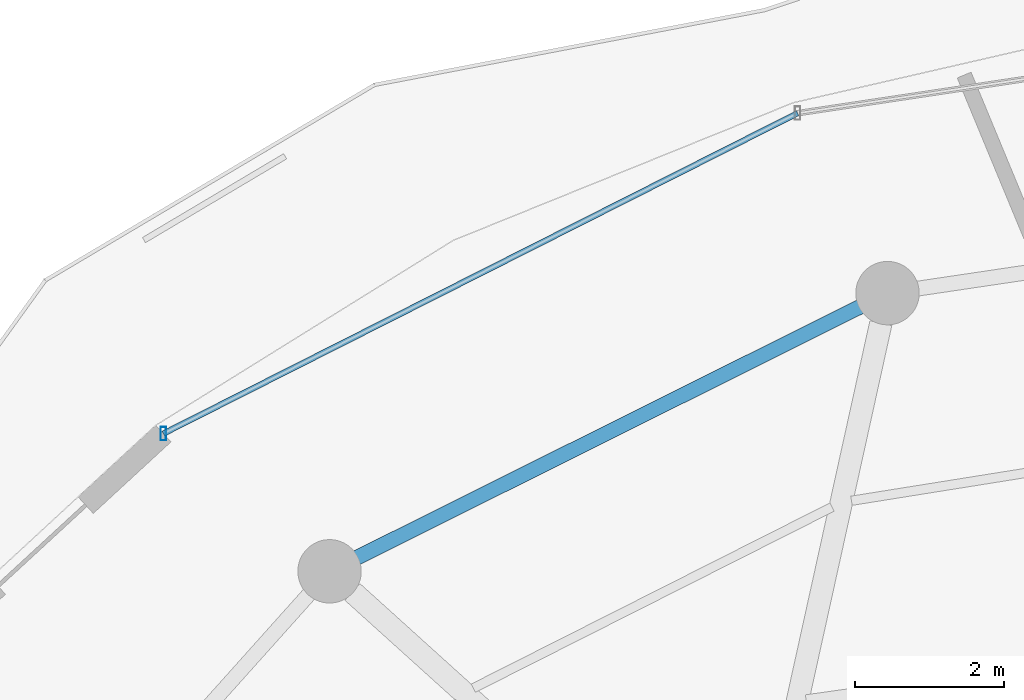
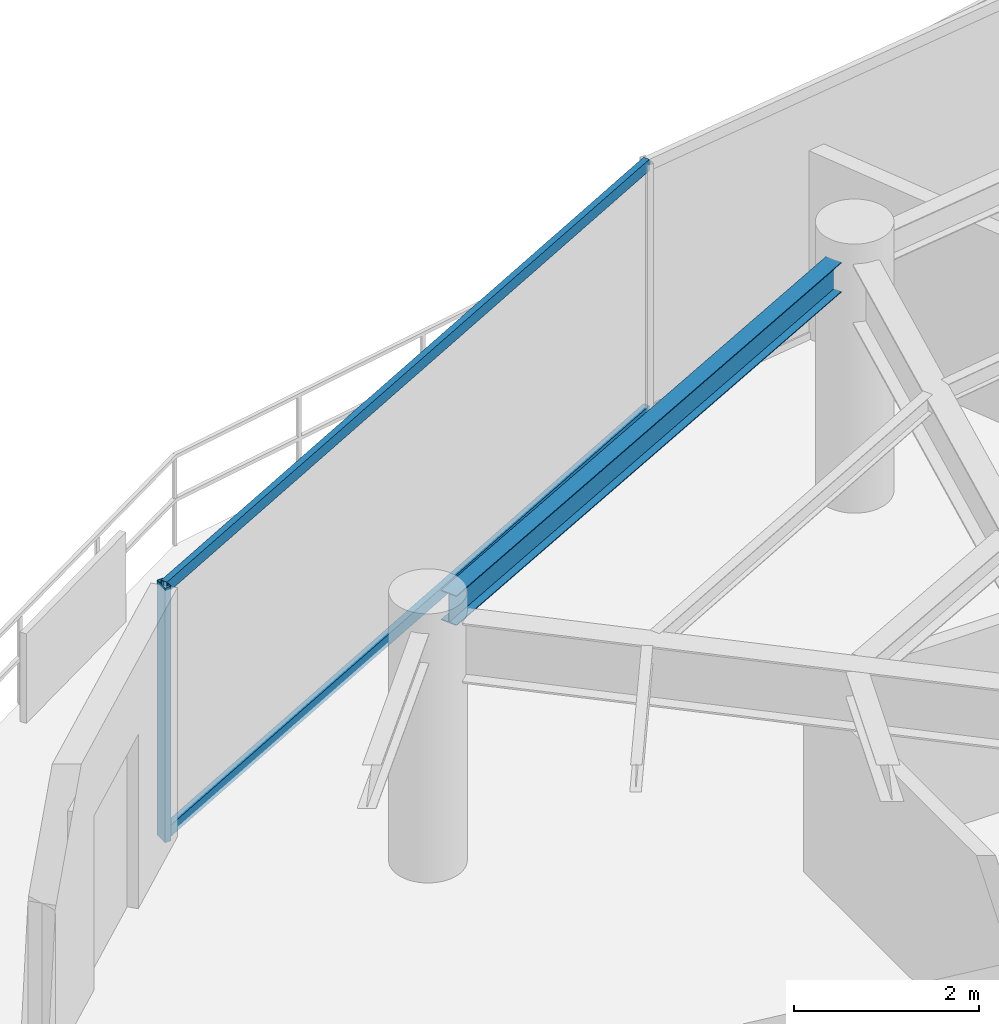
# One storey, part 15 of 29: 3 members, 1 beam, 1 element without a shape of its own.
"""IFC4 building model written with IfcOpenShell, lengths in metres."""

from ifc_helpers import new_model, si_unit, direction, frame, origin, origin_2d, place, context, subcontext, project, spatial, hollow_rectangle, i_section, extrude, material, material_profile, profile_set, type_object, element, aggregate, save


model = new_model("IFC4")

# Units and contexts
model_context = context("Model", 3, precision=1e-05, world=origin(), true_north=direction((0.0, 1.0)))
body_context = subcontext(model_context, "Body", "Model", "MODEL_VIEW")
ifc_project = project(units=[si_unit("LENGTHUNIT", "METRE"), si_unit("AREAUNIT", "SQUARE_METRE"), si_unit("VOLUMEUNIT", "CUBIC_METRE"), si_unit("PLANEANGLEUNIT", "RADIAN"), si_unit("MASSUNIT", "GRAM", prefix="KILO")], contexts=[model_context])

# Site, building, storey
site_placement = place(None, origin())
site = spatial("IfcSite", under=ifc_project, at=site_placement, CompositionType="ELEMENT")
building_placement = place(site_placement, origin())
building = spatial("IfcBuilding", under=site, at=building_placement, Name="Vorneva Point Tower", CompositionType="ELEMENT")
storey_placement = place(building_placement, frame((0.0, 0.0, 259.10009765625)))
storey = spatial("IfcBuildingStorey", under=building, at=storey_placement, Name="L70", CompositionType="ELEMENT", Elevation=259.10009765625)

# Beam
ifc_material_1 = material(Name="Steel S355", Category="steel")
ifc_material_profile_1 = material_profile(ifc_material_1, i_section(OverallWidth=0.198974609375, OverallDepth=0.39599609375, WebThickness=0.007080078125, FlangeThickness=0.010986328125, at=origin_2d()), Name="40B1")
ifc_profile_set_1 = profile_set([ifc_material_profile_1], Name="Steel S355")
beam_type = type_object("IfcBeamType", Name="BM-SPN-40B1", PredefinedType="SPANDREL", material=ifc_profile_set_1)
beam_placement = place(storey_placement, frame((28.812255859375, 41.707763671875, 3.091796875), z_axis=(-0.894932011528, -0.446202526599, 0.0), x_axis=(0.446202526599, -0.894932011528, 0.0)))
element("IfcBeam", 1, at=beam_placement, inside=storey, type_object=beam_type, Name="L70 Perimeter Spandrel Ring Beam 06", PredefinedType="SPANDREL", context=body_context, shape_type="SweptSolid", body=[
    extrude(i_section(OverallWidth=0.198974609375, OverallDepth=0.39599609375, WebThickness=0.007080078125, FlangeThickness=0.010986328125, at=origin_2d()), origin(), (0.0, 0.0, 1.0), 7.535888671875),
])

# Curtain wall, members
ifc_material_2 = material(Name="Pale anodised aluminium", Category="aluminium")
curtain_wall_type = type_object("IfcCurtainWallType", Name="CW-RES-SYS", PredefinedType="NOTDEFINED", material=ifc_material_2)
curtain_wall_placement = place(storey_placement, origin())
curtain_wall = element("IfcCurtainWall", 2, at=curtain_wall_placement, inside=storey, type_object=curtain_wall_type, Name="L70 Unitised Curtain Wall CW-L70-R02", PredefinedType="NOTDEFINED")
ifc_material_profile_2 = material_profile(ifc_material_2, hollow_rectangle(XDim=0.074951171875, YDim=0.179931640625, WallThickness=0.00390625, at=origin_2d()), Name="AL-MUL 180x75x4")
ifc_profile_set_2 = profile_set([ifc_material_profile_2], Name="Pale anodised aluminium")
member_type_1 = type_object("IfcMemberType", Name="CW-MUL-180", PredefinedType="MULLION", material=ifc_profile_set_2)
member_1_placement = place(storey_placement, frame((19.473876953125, 40.0078125, -0.0400390625), z_axis=(0.0, 0.0, 1.0), x_axis=(1.0, 0.0, 0.0)))
member_1 = element("IfcMember", 3, at=member_1_placement, type_object=member_type_1, Name="CW-L70-R02 Mullion 05", PredefinedType="MULLION", context=body_context, shape_type="SweptSolid", body=[
    extrude(hollow_rectangle(XDim=0.074951171875, YDim=0.179931640625, WallThickness=0.00390625, at=origin_2d()), origin(), (0.0, 0.0, 1.0), 3.35986328125),
])
ifc_material_profile_3 = material_profile(ifc_material_2, hollow_rectangle(XDim=0.074951171875, YDim=0.14990234375, WallThickness=0.00390625, at=origin_2d()), Name="AL-TRN 150x75x4")
ifc_profile_set_3 = profile_set([ifc_material_profile_3], Name="Pale anodised aluminium")
member_type_2 = type_object("IfcMemberType", Name="CW-TRN-150", PredefinedType="USERDEFINED", material=ifc_profile_set_3)
member_2_placement = place(storey_placement, frame((27.9736328125, 44.302001953125, 0.02001953125), z_axis=(-0.892558185815, -0.450932239848, 0.0), x_axis=(0.450932239848, -0.892558185815, 0.0)))
member_2 = element("IfcMember", 4, at=member_2_placement, type_object=member_type_2, Name="CW-L70-R02 Transom 04.1", ObjectType="TRANSOM", PredefinedType="USERDEFINED", context=body_context, shape_type="SweptSolid", body=[
    extrude(hollow_rectangle(XDim=0.074951171875, YDim=0.14990234375, WallThickness=0.00390625, at=origin_2d()), origin(), (0.0, 0.0, 1.0), 9.52294921875),
])
member_3_placement = place(storey_placement, frame((27.9736328125, 44.302001953125, 3.27001953125), z_axis=(-0.892558185815, -0.450932239848, 0.0), x_axis=(0.450932239848, -0.892558185815, 0.0)))
member_3 = element("IfcMember", 5, at=member_3_placement, type_object=member_type_2, Name="CW-L70-R02 Transom 04.2", ObjectType="TRANSOM", PredefinedType="USERDEFINED", context=body_context, shape_type="SweptSolid", body=[
    extrude(hollow_rectangle(XDim=0.074951171875, YDim=0.14990234375, WallThickness=0.00390625, at=origin_2d()), origin(), (0.0, 0.0, 1.0), 9.52294921875),
])
aggregate(curtain_wall, [member_1, member_2, member_3])

save(model, "model.ifc")
